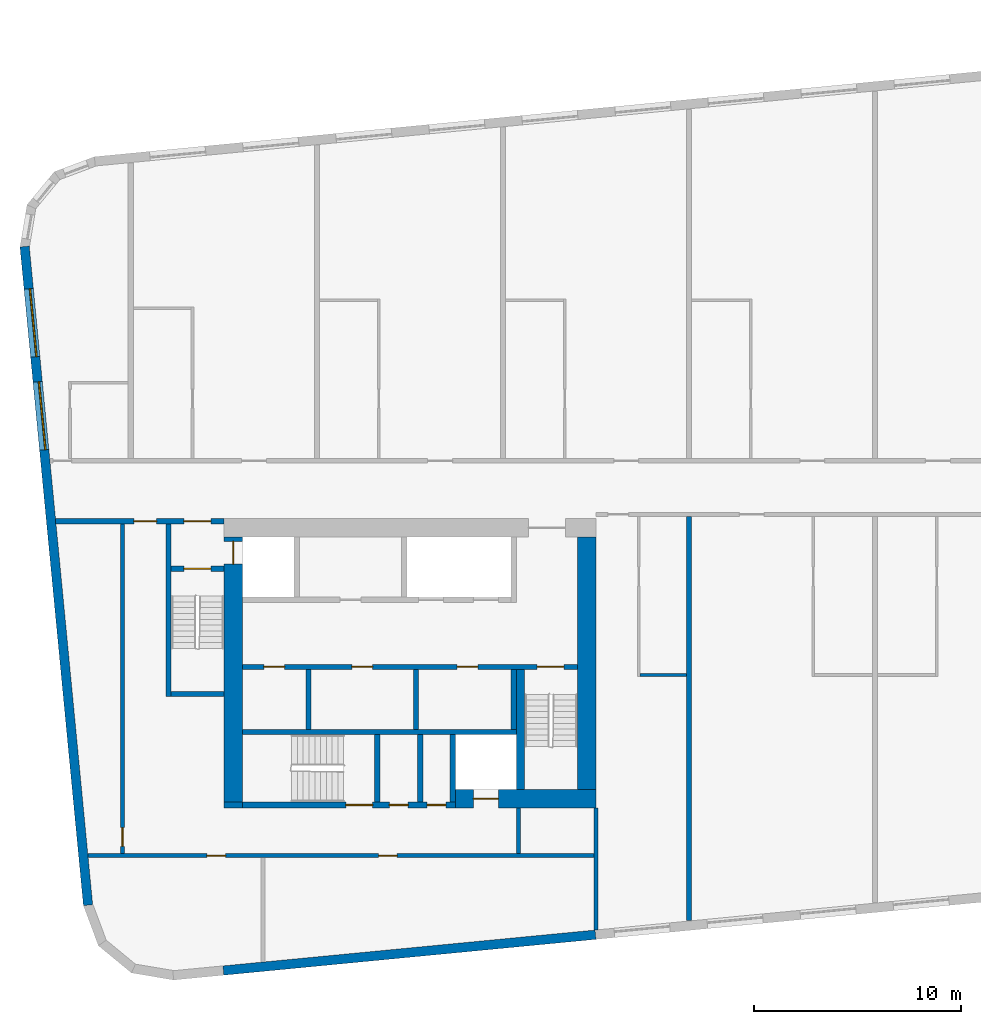
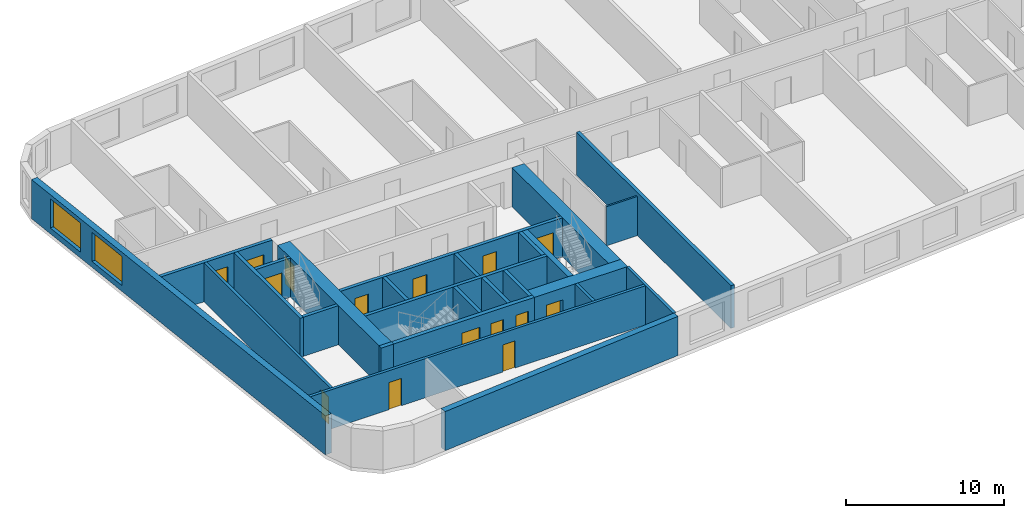
# One storey, part 2 of 11: 26 walls, 15 doors, 2 windows, 17 openings.
"""IFC4 building model written with IfcOpenShell, lengths in metres."""

from ifc_helpers import new_model, si_unit, direction, frame, frame_2d, origin, place, context, subcontext, project, spatial, rectangle, extrude, material, layer, layer_set, type_object, element, fill, save


model = new_model("IFC4")

# Units and contexts
model_context = context("Model", 3, precision=1e-05, world=origin(), true_north=direction((0.0, 1.0)))
body_context = subcontext(model_context, "Body", "Model", "MODEL_VIEW")
ifc_project = project(units=[si_unit("LENGTHUNIT", "METRE"), si_unit("AREAUNIT", "SQUARE_METRE"), si_unit("VOLUMEUNIT", "CUBIC_METRE"), si_unit("PLANEANGLEUNIT", "RADIAN"), si_unit("MASSUNIT", "GRAM", prefix="KILO")], contexts=[model_context])

# Site, building, storey
site_placement = place(None, origin())
site = spatial("IfcSite", under=ifc_project, at=site_placement, CompositionType="ELEMENT")
building_placement = place(site_placement, origin())
building = spatial("IfcBuilding", under=site, at=building_placement, Name="Kajstack Hotel Tower", CompositionType="ELEMENT")
storey_placement = place(building_placement, frame((0.0, 0.0, 275.10009765625)))
storey = spatial("IfcBuildingStorey", under=building, at=storey_placement, Name="L68", CompositionType="ELEMENT", Elevation=275.10009765625)

# Wall, opening, door
ifc_material_1 = material(Name="Concrete C60/75", Category="concrete")
ifc_layer_1 = layer(ifc_material_1, 0.89990234375)
ifc_layer_set_1 = layer_set([ifc_layer_1], Name="Core wall 900")
wall_type_1 = type_object("IfcWallType", Name="Core wall 900", PredefinedType="SHEAR", material=ifc_layer_set_1)
wall_1_placement = place(storey_placement, frame((-20.300048828125, -15.050048828125, 0.0), z_axis=(0.0, 0.0, 1.0), x_axis=(1.0, 0.0, 0.0)))
wall_1 = element("IfcWall", 1, at=wall_1_placement, inside=storey, type_object=wall_type_1, Name="Core wall W RS", PredefinedType="SHEAR", context=body_context, shape_type="SweptSolid", body=[
    extrude(rectangle(XDim=6.800048828125, YDim=0.89990234375, at=frame_2d((3.39990234375, 0.0))), origin(), (0.0, 0.0, 1.0), 3.02001953125),
])
opening_1_placement = place(wall_1_placement, frame((0.875, 0.0, 0.0)))
opening_1 = element("IfcOpeningElement", 2, at=opening_1_placement, cuts=wall_1, Name="Opening LD-SV1", PredefinedType="OPENING", context=body_context, shape_type="SweptSolid", body=[
    extrude(rectangle(XDim=1.199951171875, YDim=2.10009765625, at=frame_2d((0.60009765625, 1.050048828125))), frame((0.0, 0.4599609375, 0.0), z_axis=(0.0, -1.0, 0.0), x_axis=(1.0, 0.0, 0.0)), (0.0, 0.0, 1.0), 0.919921875),
])
ifc_material_2 = material(Name="Stainless steel", Category="steel")
door_type_1 = type_object("IfcDoorType", Name="Lift landing door 1200", OperationType="SLIDING_TO_LEFT", PredefinedType="DOOR", material=ifc_material_2)
door_1_placement = place(opening_1_placement, origin())
door_1 = element("IfcDoor", 3, at=door_1_placement, inside=storey, type_object=door_type_1, Name="Landing door SV1", OperationType="SLIDING_TO_LEFT", OverallHeight=2.10009765625, OverallWidth=1.199951171875, PredefinedType="DOOR", context=body_context, shape_type="SweptSolid", body=[
    extrude(rectangle(XDim=1.199951171875, YDim=2.10009765625, at=frame_2d((0.60009765625, 1.050048828125))), frame((0.0, 0.02490234375, 0.0), z_axis=(0.0, -1.0, 0.0), x_axis=(1.0, 0.0, 0.0)), (0.0, 0.0, 1.0), 0.050048828125),
])
fill(opening_1, door_1)

# Wall
wall_2_placement = place(storey_placement, frame((-31.5, -15.35009765625, 0.0), z_axis=(0.0, 0.0, 1.0), x_axis=(1.0, 0.0, 0.0)))
element("IfcWall", 4, at=wall_2_placement, inside=storey, type_object=wall_type_1, Name="Core wall W RSW", PredefinedType="SHEAR", context=body_context, shape_type="SweptSolid", body=[
    extrude(rectangle(XDim=0.89990234375, YDim=0.300048828125, at=frame_2d((0.449951171875, 0.0))), origin(), (0.0, 0.0, 1.0), 3.02001953125),
])

# Wall, opening, door
wall_3_placement = place(storey_placement, frame((-31.050048828125, -15.199951171875, 0.0), z_axis=(0.0, 0.0, 1.0), x_axis=(0.0, 1.0, 0.0)))
wall_3 = element("IfcWall", 5, at=wall_3_placement, inside=storey, type_object=wall_type_1, Name="Core wall W RW", PredefinedType="SHEAR", context=body_context, shape_type="SweptSolid", body=[
    extrude(rectangle(XDim=12.800048828125, YDim=0.89990234375, at=frame_2d((6.39990234375, 0.0))), origin(), (0.0, 0.0, 1.0), 3.02001953125),
])
opening_2_placement = place(wall_3_placement, frame((11.5, 0.0, 0.0)))
opening_2 = element("IfcOpeningElement", 6, at=opening_2_placement, cuts=wall_3, Name="Opening LD-FF1", PredefinedType="OPENING", context=body_context, shape_type="SweptSolid", body=[
    extrude(rectangle(XDim=1.10009765625, YDim=2.10009765625, at=frame_2d((0.550048828125, 1.050048828125))), frame((0.0, 0.4599609375, 0.0), z_axis=(0.0, -1.0, 0.0), x_axis=(1.0, 0.0, 0.0)), (0.0, 0.0, 1.0), 0.919921875),
])
door_type_2 = type_object("IfcDoorType", Name="Fire-fighting lift landing door 1100", OperationType="SLIDING_TO_LEFT", PredefinedType="DOOR", material=ifc_material_2)
door_2_placement = place(opening_2_placement, origin())
door_2 = element("IfcDoor", 7, at=door_2_placement, inside=storey, type_object=door_type_2, Name="Landing door FF1", OperationType="SLIDING_TO_RIGHT", OverallHeight=2.10009765625, OverallWidth=1.10009765625, PredefinedType="DOOR", context=body_context, shape_type="SweptSolid", body=[
    extrude(rectangle(XDim=1.10009765625, YDim=2.10009765625, at=frame_2d((0.550048828125, 1.050048828125))), frame((0.0, 0.02490234375, 0.0), z_axis=(0.0, -1.0, 0.0), x_axis=(1.0, 0.0, 0.0)), (0.0, 0.0, 1.0), 0.050048828125),
])
fill(opening_2, door_2)

# Walls
wall_4_placement = place(storey_placement, frame((-13.949951171875, -14.60009765625, 0.0), z_axis=(0.0, 0.0, 1.0), x_axis=(0.0, 1.0, 0.0)))
element("IfcWall", 8, at=wall_4_placement, inside=storey, type_object=wall_type_1, Name="Core wall W RE", PredefinedType="SHEAR", context=body_context, shape_type="SweptSolid", body=[
    extrude(rectangle(XDim=12.2001953125, YDim=0.89990234375, at=frame_2d((6.10009765625, 0.0))), origin(), (0.0, 0.0, 1.0), 3.02001953125),
])
ifc_material_3 = material(Name="Twin-frame gypsum board on steel studs, mineral wool", Category="steel")
ifc_layer_2 = layer(ifc_material_3, 0.199951171875)
ifc_layer_set_2 = layer_set([ifc_layer_2], Name="Demising wall 200")
wall_type_2 = type_object("IfcWallType", Name="Demising wall 200", PredefinedType="PARTITIONING", material=ifc_layer_set_2)
wall_5_placement = place(storey_placement, frame((-13.5, -21.39599609375, 0.0), z_axis=(0.0, 0.0, 1.0), x_axis=(0.0, 1.0, 0.0)))
element("IfcWall", 9, at=wall_5_placement, inside=storey, type_object=wall_type_2, Name="G-wall-L68-002", PredefinedType="PARTITIONING", context=body_context, shape_type="SweptSolid", body=[
    extrude(rectangle(XDim=5.89599609375, YDim=0.199951171875, at=frame_2d((2.947998046875, 0.0))), origin(), (0.0, 0.0, 1.0), 3.02001953125),
])
ifc_material_4 = material(Name="Concrete C40/50", Category="concrete")
ifc_layer_3 = layer(ifc_material_4, 0.449951171875)
ifc_layer_set_3 = layer_set([ifc_layer_3], Name="EW-CORE")
wall_type_3 = type_object("IfcWallType", Name="EW-CORE", PredefinedType="SOLIDWALL", material=ifc_layer_set_3)
wall_6_placement = place(storey_placement, frame((-31.521484375, -23.357177734375, 0.0), z_axis=(0.0, 0.0, 1.0), x_axis=(0.995396454615, 0.095843091245, 0.0)))
element("IfcWall", 10, at=wall_6_placement, inside=storey, type_object=wall_type_3, Name="E-wall-L68-04-01", PredefinedType="SOLIDWALL", context=body_context, shape_type="SweptSolid", body=[
    extrude(rectangle(XDim=18.083251953125, YDim=0.449951171875, at=frame_2d((9.04150390625, 0.0))), origin(), (0.0, 0.0, 1.0), 3.02001953125),
])

# Wall, openings, windows
ifc_material_5 = material(Name="Terracotta-faced brick masonry", Category="masonry")
ifc_layer_4 = layer(ifc_material_5, 0.449951171875)
ifc_layer_set_4 = layer_set([ifc_layer_4], Name="EW-TERRA")
wall_type_4 = type_object("IfcWallType", Name="EW-TERRA", PredefinedType="SOLIDWALL", material=ifc_layer_set_4)
wall_7_placement = place(storey_placement, frame((-41.13232421875, 11.657958984375, 0.0), z_axis=(0.0, 0.0, 1.0), x_axis=(0.095847749461, -0.995396006082, 0.0)))
wall_7 = element("IfcWall", 11, at=wall_7_placement, inside=storey, type_object=wall_type_4, Name="E-wall-L68-00-00", PredefinedType="SOLIDWALL", context=body_context, shape_type="SweptSolid", body=[
    extrude(rectangle(XDim=32.0, YDim=0.449951171875, at=frame_2d((16.0, 0.0))), origin(), (0.0, 0.0, 1.0), 3.02001953125),
])
opening_3_placement = place(wall_7_placement, frame((2.053466796875, 0.0, 0.449951171875)))
opening_3 = element("IfcOpeningElement", 12, at=opening_3_placement, cuts=wall_7, Name="Opening W2", PredefinedType="OPENING", context=body_context, shape_type="SweptSolid", body=[
    extrude(rectangle(XDim=3.300048828125, YDim=2.25, at=frame_2d((1.64990234375, 1.125))), frame((0.0, 0.23486328125, 0.0), z_axis=(0.0, -1.0, 0.0), x_axis=(1.0, 0.0, 0.0)), (0.0, 0.0, 1.0), 0.469970703125),
])
opening_4_placement = place(wall_7_placement, frame((6.57421875, 0.0, 0.449951171875)))
opening_4 = element("IfcOpeningElement", 13, at=opening_4_placement, cuts=wall_7, Name="Opening W2", PredefinedType="OPENING", context=body_context, shape_type="SweptSolid", body=[
    extrude(rectangle(XDim=3.300048828125, YDim=2.25, at=frame_2d((1.64990234375, 1.125))), frame((0.0, 0.23486328125, 0.0), z_axis=(0.0, -1.0, 0.0), x_axis=(1.0, 0.0, 0.0)), (0.0, 0.0, 1.0), 0.469970703125),
])
ifc_material_6 = material(Name="Timber-aluminium window, triple glazed", Category="wood")
window_type = type_object("IfcWindowType", Name="WG2", PartitioningType="SINGLE_PANEL", PredefinedType="WINDOW", material=ifc_material_6)
window_1_placement = place(opening_3_placement, origin())
window_1 = element("IfcWindow", 14, at=window_1_placement, inside=storey, type_object=window_type, Name="Window W2 L68-00", OverallHeight=2.25, OverallWidth=3.300048828125, PartitioningType="SINGLE_PANEL", PredefinedType="WINDOW", context=body_context, shape_type="SweptSolid", body=[
    extrude(rectangle(XDim=3.300048828125, YDim=2.25, at=frame_2d((1.64990234375, 1.125))), frame((0.0, 0.090087890625, 0.0), z_axis=(0.0, -1.0, 0.0), x_axis=(1.0, 0.0, 0.0)), (0.0, 0.0, 1.0), 0.06005859375),
])
fill(opening_3, window_1)
window_2_placement = place(opening_4_placement, origin())
window_2 = element("IfcWindow", 15, at=window_2_placement, inside=storey, type_object=window_type, Name="Window W2 L68-00", OverallHeight=2.25, OverallWidth=3.300048828125, PartitioningType="SINGLE_PANEL", PredefinedType="WINDOW", context=body_context, shape_type="SweptSolid", body=[
    extrude(rectangle(XDim=3.300048828125, YDim=2.25, at=frame_2d((1.64990234375, 1.125))), frame((0.0, 0.090087890625, 0.0), z_axis=(0.0, -1.0, 0.0), x_axis=(1.0, 0.0, 0.0)), (0.0, 0.0, 1.0), 0.06005859375),
])
fill(opening_4, window_2)

# Walls
ifc_material_7 = material(Name="Gypsum board and tiled backer on steel studs", Category="steel")
ifc_layer_5 = layer(ifc_material_7, 0.125)
ifc_layer_set_5 = layer_set([ifc_layer_5], Name="En-suite wall 125")
wall_type_5 = type_object("IfcWallType", Name="En-suite wall 125", PredefinedType="PARTITIONING", material=ifc_layer_set_5)
wall_8_placement = place(storey_placement, frame((-11.375, -9.06201171875, 0.0), z_axis=(0.0, 0.0, 1.0), x_axis=(1.0, 0.0, 0.0)))
element("IfcWall", 16, at=wall_8_placement, inside=storey, type_object=wall_type_5, Name="G-wall-L68-020", PredefinedType="PARTITIONING", context=body_context, shape_type="SweptSolid", body=[
    extrude(rectangle(XDim=2.25, YDim=0.125, at=frame_2d((1.125, 0.0))), origin(), (0.0, 0.0, 1.0), 3.02001953125),
])
ifc_layer_6 = layer(ifc_material_4, 0.25)
ifc_layer_set_6 = layer_set([ifc_layer_6], Name="RC cross wall 250 C40/50")
wall_type_6 = type_object("IfcWallType", Name="RC cross wall 250 C40/50", PredefinedType="SHEAR", material=ifc_layer_set_6)
wall_9_placement = place(storey_placement, frame((-9.0, -20.9404296875, 0.0), z_axis=(0.0, 0.0, 1.0), x_axis=(0.0, 1.0, 0.0)))
element("IfcWall", 17, at=wall_9_placement, inside=storey, type_object=wall_type_6, Name="S-wall-L68-04", PredefinedType="SHEAR", context=body_context, shape_type="SweptSolid", body=[
    extrude(rectangle(XDim=19.54052734375, YDim=0.25, at=frame_2d((9.770263671875, 0.0))), origin(), (0.0, 0.0, 1.0), 3.2998046875),
])
ifc_material_8 = material(Name="Concrete block masonry", Category="masonry")
ifc_layer_7 = layer(ifc_material_8, 0.25)
ifc_layer_set_7 = layer_set([ifc_layer_7], Name="Riser partition 250")
wall_type_7 = type_object("IfcWallType", Name="Riser partition 250", PredefinedType="PARTITIONING", material=ifc_layer_set_7)
for number, where, z_axis, x_axis, name in (
    (18, (-27.39990234375, -11.699951171875, 0.0), (0.0, 0.0, 1.0), (0.0, 1.0, 0.0), "Partition W BF0"),
    (19, (-22.199951171875, -11.699951171875, 0.0), (0.0, 0.0, 1.0), (0.0, 1.0, 0.0), "Partition W BF1"),
):
    element("IfcWall", number, at=place(storey_placement, frame(where, z_axis=z_axis, x_axis=x_axis)), inside=storey, type_object=wall_type_7, Name=name, PredefinedType="PARTITIONING", context=body_context, shape_type="SweptSolid", body=[
        extrude(rectangle(XDim=2.89990234375, YDim=0.25, at=frame_2d((1.449951171875, 0.0))), origin(), (0.0, 0.0, 1.0), 3.02001953125),
    ])
wall_10_placement = place(storey_placement, frame((-22.0, -15.199951171875, 0.0), z_axis=(0.0, 0.0, 1.0), x_axis=(0.0, 1.0, 0.0)))
element("IfcWall", 20, at=wall_10_placement, inside=storey, type_object=wall_type_7, Name="Partition W SZ0", PredefinedType="PARTITIONING", context=body_context, shape_type="SweptSolid", body=[
    extrude(rectangle(XDim=3.25, YDim=0.25, at=frame_2d((1.625, 0.0))), origin(), (0.0, 0.0, 1.0), 3.02001953125),
])

# Wall, openings, doors
ifc_material_9 = material(Name="Gypsum board on steel studs, mineral wool", Category="steel")
ifc_layer_8 = layer(ifc_material_9, 0.199951171875)
ifc_layer_set_8 = layer_set([ifc_layer_8], Name="Service partition 200")
wall_type_8 = type_object("IfcWallType", Name="Service partition 200", PredefinedType="PARTITIONING", material=ifc_layer_set_8)
wall_11_placement = place(storey_placement, frame((-39.627197265625, -1.625, 0.0), z_axis=(0.0, 0.0, 1.0), x_axis=(1.0, 0.0, 0.0)))
wall_11 = element("IfcWall", 21, at=wall_11_placement, inside=storey, type_object=wall_type_8, Name="Partition W SN", PredefinedType="PARTITIONING", context=body_context, shape_type="SweptSolid", body=[
    extrude(rectangle(XDim=8.127197265625, YDim=0.25, at=frame_2d((4.0634765625, 0.0))), origin(), (0.0, 0.0, 1.0), 3.02001953125),
])
opening_5_placement = place(wall_11_placement, frame((6.202392578125, 0.0, 0.0)))
opening_5 = element("IfcOpeningElement", 22, at=opening_5_placement, cuts=wall_11, Name="Opening 68W06", PredefinedType="OPENING", context=body_context, shape_type="SweptSolid", body=[
    extrude(rectangle(XDim=1.300048828125, YDim=2.10009765625, at=frame_2d((0.64990234375, 1.050048828125))), frame((0.0, 0.135009765625, 0.0), z_axis=(0.0, -1.0, 0.0), x_axis=(1.0, 0.0, 0.0)), (0.0, 0.0, 1.0), 0.27001953125),
])
opening_6_placement = place(wall_11_placement, frame((3.77734375, 0.0, 0.0)))
opening_6 = element("IfcOpeningElement", 23, at=opening_6_placement, cuts=wall_11, Name="Opening 68W08", PredefinedType="OPENING", context=body_context, shape_type="SweptSolid", body=[
    extrude(rectangle(XDim=1.10009765625, YDim=2.10009765625, at=frame_2d((0.550048828125, 1.050048828125))), frame((0.0, 0.135009765625, 0.0), z_axis=(0.0, -1.0, 0.0), x_axis=(1.0, 0.0, 0.0)), (0.0, 0.0, 1.0), 0.27001953125),
])
ifc_material_10 = material(Name="Steel leaf, fire-rated", Category="steel")
door_type_3 = type_object("IfcDoorType", Name="Fire lobby door 1300", OperationType="SINGLE_SWING_LEFT", PredefinedType="DOOR", material=ifc_material_10)
door_3_placement = place(opening_5_placement, origin())
door_3 = element("IfcDoor", 24, at=door_3_placement, inside=storey, type_object=door_type_3, Name="Door 68W06", OperationType="SINGLE_SWING_RIGHT", OverallHeight=2.10009765625, OverallWidth=1.300048828125, PredefinedType="DOOR", context=body_context, shape_type="SweptSolid", body=[
    extrude(rectangle(XDim=1.300048828125, YDim=2.10009765625, at=frame_2d((0.64990234375, 1.050048828125))), frame((0.0, 0.02490234375, 0.0), z_axis=(0.0, -1.0, 0.0), x_axis=(1.0, 0.0, 0.0)), (0.0, 0.0, 1.0), 0.050048828125),
])
fill(opening_5, door_3)
ifc_material_11 = material(Name="Timber leaf, fire-rated", Category="wood")
door_type_4 = type_object("IfcDoorType", Name="Service corridor door 1100", OperationType="SINGLE_SWING_LEFT", PredefinedType="DOOR", material=ifc_material_11)
door_4_placement = place(opening_6_placement, origin())
door_4 = element("IfcDoor", 25, at=door_4_placement, inside=storey, type_object=door_type_4, Name="Door 68W08", OperationType="SINGLE_SWING_RIGHT", OverallHeight=2.10009765625, OverallWidth=1.10009765625, PredefinedType="DOOR", context=body_context, shape_type="SweptSolid", body=[
    extrude(rectangle(XDim=1.10009765625, YDim=2.10009765625, at=frame_2d((0.550048828125, 1.050048828125))), frame((0.0, 0.02490234375, 0.0), z_axis=(0.0, -1.0, 0.0), x_axis=(1.0, 0.0, 0.0)), (0.0, 0.0, 1.0), 0.050048828125),
])
fill(opening_6, door_4)

# Wall
wall_12_placement = place(storey_placement, frame((-17.25, -17.699951171875, 0.0), z_axis=(0.0, 0.0, 1.0), x_axis=(0.0, 1.0, 0.0)))
element("IfcWall", 26, at=wall_12_placement, inside=storey, type_object=wall_type_8, Name="Partition W SCE", PredefinedType="PARTITIONING", context=body_context, shape_type="SweptSolid", body=[
    extrude(rectangle(XDim=2.199951171875, YDim=0.199951171875, at=frame_2d((1.10009765625, 0.0))), origin(), (0.0, 0.0, 1.0), 3.02001953125),
])

# Wall, opening, door
wall_13_placement = place(storey_placement, frame((-36.39990234375, -17.699951171875, 0.0), z_axis=(0.0, 0.0, 1.0), x_axis=(0.0, 1.0, 0.0)))
wall_13 = element("IfcWall", 27, at=wall_13_placement, inside=storey, type_object=wall_type_8, Name="Partition W WRE", PredefinedType="PARTITIONING", context=body_context, shape_type="SweptSolid", body=[
    extrude(rectangle(XDim=15.949951171875, YDim=0.199951171875, at=frame_2d((7.97509765625, 0.0))), origin(), (0.0, 0.0, 1.0), 3.02001953125),
])
opening_7_placement = place(wall_13_placement, frame((0.35009765625, 0.0, 0.0)))
opening_7 = element("IfcOpeningElement", 28, at=opening_7_placement, cuts=wall_13, Name="Opening 68W19", PredefinedType="OPENING", context=body_context, shape_type="SweptSolid", body=[
    extrude(rectangle(XDim=0.89990234375, YDim=2.10009765625, at=frame_2d((0.449951171875, 1.050048828125))), frame((0.0, 0.10986328125, 0.0), z_axis=(0.0, -1.0, 0.0), x_axis=(1.0, 0.0, 0.0)), (0.0, 0.0, 1.0), 0.219970703125),
])
door_type_5 = type_object("IfcDoorType", Name="Service door 900", OperationType="SINGLE_SWING_LEFT", PredefinedType="DOOR", material=ifc_material_11)
door_5_placement = place(opening_7_placement, origin())
door_5 = element("IfcDoor", 29, at=door_5_placement, inside=storey, type_object=door_type_5, Name="Door 68W19", OperationType="SINGLE_SWING_LEFT", OverallHeight=2.10009765625, OverallWidth=0.89990234375, PredefinedType="DOOR", context=body_context, shape_type="SweptSolid", body=[
    extrude(rectangle(XDim=0.89990234375, YDim=2.10009765625, at=frame_2d((0.449951171875, 1.050048828125))), frame((0.0, 0.02490234375, 0.0), z_axis=(0.0, -1.0, 0.0), x_axis=(1.0, 0.0, 0.0)), (0.0, 0.0, 1.0), 0.050048828125),
])
fill(opening_7, door_5)

# Wall, openings, doors
wall_14_placement = place(storey_placement, frame((-38.06982421875, -17.800048828125, 0.0), z_axis=(0.0, 0.0, 1.0), x_axis=(1.0, 0.0, 0.0)))
wall_14 = element("IfcWall", 30, at=wall_14_placement, inside=storey, type_object=wall_type_8, Name="Partition W SLN", PredefinedType="PARTITIONING", context=body_context, shape_type="SweptSolid", body=[
    extrude(rectangle(XDim=24.4697265625, YDim=0.199951171875, at=frame_2d((12.23486328125, 0.0))), origin(), (0.0, 0.0, 1.0), 3.02001953125),
])
opening_8_placement = place(wall_14_placement, frame((5.75732421875, 0.0, 0.0)))
opening_8 = element("IfcOpeningElement", 31, at=opening_8_placement, cuts=wall_14, Name="Opening 68W17", PredefinedType="OPENING", context=body_context, shape_type="SweptSolid", body=[
    extrude(rectangle(XDim=0.89990234375, YDim=2.10009765625, at=frame_2d((0.449951171875, 1.050048828125))), frame((0.0, 0.10986328125, 0.0), z_axis=(0.0, -1.0, 0.0), x_axis=(1.0, 0.0, 0.0)), (0.0, 0.0, 1.0), 0.219970703125),
])
opening_9_placement = place(wall_14_placement, frame((14.057373046875, 0.0, 0.0)))
opening_9 = element("IfcOpeningElement", 32, at=opening_9_placement, cuts=wall_14, Name="Opening 68W18", PredefinedType="OPENING", context=body_context, shape_type="SweptSolid", body=[
    extrude(rectangle(XDim=0.89990234375, YDim=2.10009765625, at=frame_2d((0.449951171875, 1.050048828125))), frame((0.0, 0.10986328125, 0.0), z_axis=(0.0, -1.0, 0.0), x_axis=(1.0, 0.0, 0.0)), (0.0, 0.0, 1.0), 0.219970703125),
])
door_6_placement = place(opening_8_placement, origin())
door_6 = element("IfcDoor", 33, at=door_6_placement, inside=storey, type_object=door_type_5, Name="Door 68W17", OperationType="SINGLE_SWING_RIGHT", OverallHeight=2.10009765625, OverallWidth=0.89990234375, PredefinedType="DOOR", context=body_context, shape_type="SweptSolid", body=[
    extrude(rectangle(XDim=0.89990234375, YDim=2.10009765625, at=frame_2d((0.449951171875, 1.050048828125))), frame((0.0, 0.02490234375, 0.0), z_axis=(0.0, -1.0, 0.0), x_axis=(1.0, 0.0, 0.0)), (0.0, 0.0, 1.0), 0.050048828125),
])
fill(opening_8, door_6)
door_7_placement = place(opening_9_placement, origin())
door_7 = element("IfcDoor", 34, at=door_7_placement, inside=storey, type_object=door_type_5, Name="Door 68W18", OperationType="SINGLE_SWING_RIGHT", OverallHeight=2.10009765625, OverallWidth=0.89990234375, PredefinedType="DOOR", context=body_context, shape_type="SweptSolid", body=[
    extrude(rectangle(XDim=0.89990234375, YDim=2.10009765625, at=frame_2d((0.449951171875, 1.050048828125))), frame((0.0, 0.02490234375, 0.0), z_axis=(0.0, -1.0, 0.0), x_axis=(1.0, 0.0, 0.0)), (0.0, 0.0, 1.0), 0.050048828125),
])
fill(opening_9, door_7)

ifc_material_12 = material(Name="Concrete C50/60", Category="concrete")
ifc_layer_9 = layer(ifc_material_12, 0.25)
ifc_layer_set_9 = layer_set([ifc_layer_9], Name="Shaft wall 250")
wall_type_9 = type_object("IfcWallType", Name="Shaft wall 250", PredefinedType="SHEAR", material=ifc_layer_set_9)
wall_15_placement = place(storey_placement, frame((-30.60009765625, -15.35009765625, 0.0), z_axis=(0.0, 0.0, 1.0), x_axis=(1.0, 0.0, 0.0)))
wall_15 = element("IfcWall", 35, at=wall_15_placement, inside=storey, type_object=wall_type_9, Name="Core wall W RSS", PredefinedType="SHEAR", context=body_context, shape_type="SweptSolid", body=[
    extrude(rectangle(XDim=10.300048828125, YDim=0.300048828125, at=frame_2d((5.14990234375, 0.0))), origin(), (0.0, 0.0, 1.0), 3.02001953125),
])
opening_10_placement = place(wall_15_placement, frame((5.0, 0.0, 0.0)))
opening_10 = element("IfcOpeningElement", 36, at=opening_10_placement, cuts=wall_15, Name="Opening 68W10", PredefinedType="OPENING", context=body_context, shape_type="SweptSolid", body=[
    extrude(rectangle(XDim=1.300048828125, YDim=2.10009765625, at=frame_2d((0.64990234375, 1.050048828125))), frame((0.0, 0.159912109375, 0.0), z_axis=(0.0, -1.0, 0.0), x_axis=(1.0, 0.0, 0.0)), (0.0, 0.0, 1.0), 0.320068359375),
])
opening_11_placement = place(wall_15_placement, frame((7.112548828125, 0.0, 0.0)))
opening_11 = element("IfcOpeningElement", 37, at=opening_11_placement, cuts=wall_15, Name="Opening 68W11", PredefinedType="OPENING", context=body_context, shape_type="SweptSolid", body=[
    extrude(rectangle(XDim=0.89990234375, YDim=2.10009765625, at=frame_2d((0.449951171875, 1.050048828125))), frame((0.0, 0.159912109375, 0.0), z_axis=(0.0, -1.0, 0.0), x_axis=(1.0, 0.0, 0.0)), (0.0, 0.0, 1.0), 0.320068359375),
])
opening_12_placement = place(wall_15_placement, frame((8.9375, 0.0, 0.0)))
opening_12 = element("IfcOpeningElement", 38, at=opening_12_placement, cuts=wall_15, Name="Opening 68W12", PredefinedType="OPENING", context=body_context, shape_type="SweptSolid", body=[
    extrude(rectangle(XDim=0.89990234375, YDim=2.10009765625, at=frame_2d((0.449951171875, 1.050048828125))), frame((0.0, 0.159912109375, 0.0), z_axis=(0.0, -1.0, 0.0), x_axis=(1.0, 0.0, 0.0)), (0.0, 0.0, 1.0), 0.320068359375),
])
door_8_placement = place(opening_11_placement, origin())
door_8 = element("IfcDoor", 39, at=door_8_placement, inside=storey, type_object=door_type_5, Name="Door 68W11", OperationType="SINGLE_SWING_LEFT", OverallHeight=2.10009765625, OverallWidth=0.89990234375, PredefinedType="DOOR", context=body_context, shape_type="SweptSolid", body=[
    extrude(rectangle(XDim=0.89990234375, YDim=2.10009765625, at=frame_2d((0.449951171875, 1.050048828125))), frame((0.0, 0.02490234375, 0.0), z_axis=(0.0, -1.0, 0.0), x_axis=(1.0, 0.0, 0.0)), (0.0, 0.0, 1.0), 0.050048828125),
])
fill(opening_11, door_8)
door_9_placement = place(opening_12_placement, origin())
door_9 = element("IfcDoor", 40, at=door_9_placement, inside=storey, type_object=door_type_5, Name="Door 68W12", OperationType="SINGLE_SWING_LEFT", OverallHeight=2.10009765625, OverallWidth=0.89990234375, PredefinedType="DOOR", context=body_context, shape_type="SweptSolid", body=[
    extrude(rectangle(XDim=0.89990234375, YDim=2.10009765625, at=frame_2d((0.449951171875, 1.050048828125))), frame((0.0, 0.02490234375, 0.0), z_axis=(0.0, -1.0, 0.0), x_axis=(1.0, 0.0, 0.0)), (0.0, 0.0, 1.0), 0.050048828125),
])
fill(opening_12, door_9)
door_type_6 = type_object("IfcDoorType", Name="Stair door 1300", OperationType="SINGLE_SWING_LEFT", PredefinedType="DOOR", material=ifc_material_10)
door_10_placement = place(opening_10_placement, origin())
door_10 = element("IfcDoor", 41, at=door_10_placement, inside=storey, type_object=door_type_6, Name="Door 68W10", OperationType="SINGLE_SWING_RIGHT", OverallHeight=2.10009765625, OverallWidth=1.300048828125, PredefinedType="DOOR", context=body_context, shape_type="SweptSolid", body=[
    extrude(rectangle(XDim=1.300048828125, YDim=2.10009765625, at=frame_2d((0.64990234375, 1.050048828125))), frame((0.0, 0.02490234375, 0.0), z_axis=(0.0, -1.0, 0.0), x_axis=(1.0, 0.0, 0.0)), (0.0, 0.0, 1.0), 0.050048828125),
])
fill(opening_10, door_10)

wall_16_placement = place(storey_placement, frame((-30.60009765625, -8.675048828125, 0.0), z_axis=(0.0, 0.0, 1.0), x_axis=(1.0, 0.0, 0.0)))
wall_16 = element("IfcWall", 42, at=wall_16_placement, inside=storey, type_object=wall_type_9, Name="Core wall W FB", PredefinedType="SHEAR", context=body_context, shape_type="SweptSolid", body=[
    extrude(rectangle(XDim=16.2001953125, YDim=0.25, at=frame_2d((8.10009765625, 0.0))), origin(), (0.0, 0.0, 1.0), 3.02001953125),
])
opening_13_placement = place(wall_16_placement, frame((14.25, 0.0, 0.0)))
opening_13 = element("IfcOpeningElement", 43, at=opening_13_placement, cuts=wall_16, Name="Opening 68W09", PredefinedType="OPENING", context=body_context, shape_type="SweptSolid", body=[
    extrude(rectangle(XDim=1.300048828125, YDim=2.10009765625, at=frame_2d((0.64990234375, 1.050048828125))), frame((0.0, 0.135009765625, 0.0), z_axis=(0.0, -1.0, 0.0), x_axis=(1.0, 0.0, 0.0)), (0.0, 0.0, 1.0), 0.27001953125),
])
opening_14_placement = place(wall_16_placement, frame((1.03759765625, 0.0, 0.0)))
opening_14 = element("IfcOpeningElement", 44, at=opening_14_placement, cuts=wall_16, Name="Opening 68W13", PredefinedType="OPENING", context=body_context, shape_type="SweptSolid", body=[
    extrude(rectangle(XDim=1.0, YDim=2.10009765625, at=frame_2d((0.5, 1.050048828125))), frame((0.0, 0.135009765625, 0.0), z_axis=(0.0, -1.0, 0.0), x_axis=(1.0, 0.0, 0.0)), (0.0, 0.0, 1.0), 0.27001953125),
])
opening_15_placement = place(wall_16_placement, frame((5.300048828125, 0.0, 0.0)))
opening_15 = element("IfcOpeningElement", 45, at=opening_15_placement, cuts=wall_16, Name="Opening 68W14", PredefinedType="OPENING", context=body_context, shape_type="SweptSolid", body=[
    extrude(rectangle(XDim=1.0, YDim=2.10009765625, at=frame_2d((0.5, 1.050048828125))), frame((0.0, 0.135009765625, 0.0), z_axis=(0.0, -1.0, 0.0), x_axis=(1.0, 0.0, 0.0)), (0.0, 0.0, 1.0), 0.27001953125),
])
opening_16_placement = place(wall_16_placement, frame((10.387451171875, 0.0, 0.0)))
opening_16 = element("IfcOpeningElement", 46, at=opening_16_placement, cuts=wall_16, Name="Opening 68W15", PredefinedType="OPENING", context=body_context, shape_type="SweptSolid", body=[
    extrude(rectangle(XDim=1.0, YDim=2.10009765625, at=frame_2d((0.5, 1.050048828125))), frame((0.0, 0.135009765625, 0.0), z_axis=(0.0, -1.0, 0.0), x_axis=(1.0, 0.0, 0.0)), (0.0, 0.0, 1.0), 0.27001953125),
])
door_type_7 = type_object("IfcDoorType", Name="Service room door 1000", OperationType="SINGLE_SWING_LEFT", PredefinedType="DOOR", material=ifc_material_11)
door_11_placement = place(opening_14_placement, origin())
door_11 = element("IfcDoor", 47, at=door_11_placement, inside=storey, type_object=door_type_7, Name="Door 68W13", OperationType="SINGLE_SWING_RIGHT", OverallHeight=2.10009765625, OverallWidth=1.0, PredefinedType="DOOR", context=body_context, shape_type="SweptSolid", body=[
    extrude(rectangle(XDim=1.0, YDim=2.10009765625, at=frame_2d((0.5, 1.050048828125))), frame((0.0, 0.02490234375, 0.0), z_axis=(0.0, -1.0, 0.0), x_axis=(1.0, 0.0, 0.0)), (0.0, 0.0, 1.0), 0.050048828125),
])
fill(opening_14, door_11)
door_12_placement = place(opening_15_placement, origin())
door_12 = element("IfcDoor", 48, at=door_12_placement, inside=storey, type_object=door_type_7, Name="Door 68W14", OperationType="SINGLE_SWING_RIGHT", OverallHeight=2.10009765625, OverallWidth=1.0, PredefinedType="DOOR", context=body_context, shape_type="SweptSolid", body=[
    extrude(rectangle(XDim=1.0, YDim=2.10009765625, at=frame_2d((0.5, 1.050048828125))), frame((0.0, 0.02490234375, 0.0), z_axis=(0.0, -1.0, 0.0), x_axis=(1.0, 0.0, 0.0)), (0.0, 0.0, 1.0), 0.050048828125),
])
fill(opening_15, door_12)
door_13_placement = place(opening_16_placement, origin())
door_13 = element("IfcDoor", 49, at=door_13_placement, inside=storey, type_object=door_type_7, Name="Door 68W15", OperationType="SINGLE_SWING_RIGHT", OverallHeight=2.10009765625, OverallWidth=1.0, PredefinedType="DOOR", context=body_context, shape_type="SweptSolid", body=[
    extrude(rectangle(XDim=1.0, YDim=2.10009765625, at=frame_2d((0.5, 1.050048828125))), frame((0.0, 0.02490234375, 0.0), z_axis=(0.0, -1.0, 0.0), x_axis=(1.0, 0.0, 0.0)), (0.0, 0.0, 1.0), 0.050048828125),
])
fill(opening_16, door_13)
door_14_placement = place(opening_13_placement, origin())
door_14 = element("IfcDoor", 50, at=door_14_placement, inside=storey, type_object=door_type_6, Name="Door 68W09", OperationType="SINGLE_SWING_RIGHT", OverallHeight=2.10009765625, OverallWidth=1.300048828125, PredefinedType="DOOR", context=body_context, shape_type="SweptSolid", body=[
    extrude(rectangle(XDim=1.300048828125, YDim=2.10009765625, at=frame_2d((0.64990234375, 1.050048828125))), frame((0.0, 0.02490234375, 0.0), z_axis=(0.0, -1.0, 0.0), x_axis=(1.0, 0.0, 0.0)), (0.0, 0.0, 1.0), 0.050048828125),
])
fill(opening_13, door_14)

# Walls
wall_17_placement = place(storey_placement, frame((-30.60009765625, -11.824951171875, 0.0), z_axis=(0.0, 0.0, 1.0), x_axis=(1.0, 0.0, 0.0)))
element("IfcWall", 51, at=wall_17_placement, inside=storey, type_object=wall_type_9, Name="Core wall W RB", PredefinedType="SHEAR", context=body_context, shape_type="SweptSolid", body=[
    extrude(rectangle(XDim=13.25, YDim=0.25, at=frame_2d((6.625, 0.0))), origin(), (0.0, 0.0, 1.0), 3.02001953125),
])
wall_18_placement = place(storey_placement, frame((-17.47509765625, -11.699951171875, 0.0), z_axis=(0.0, 0.0, 1.0), x_axis=(0.0, 1.0, 0.0)))
element("IfcWall", 52, at=wall_18_placement, inside=storey, type_object=wall_type_9, Name="Core wall W BE", PredefinedType="SHEAR", context=body_context, shape_type="SweptSolid", body=[
    extrude(rectangle(XDim=2.89990234375, YDim=0.25, at=frame_2d((1.449951171875, 0.0))), origin(), (0.0, 0.0, 1.0), 3.02001953125),
])
wall_19_placement = place(storey_placement, frame((-20.425048828125, -15.199951171875, 0.0), z_axis=(0.0, 0.0, 1.0), x_axis=(0.0, 1.0, 0.0)))
element("IfcWall", 53, at=wall_19_placement, inside=storey, type_object=wall_type_9, Name="Core wall W SVW", PredefinedType="SHEAR", context=body_context, shape_type="SweptSolid", body=[
    extrude(rectangle(XDim=3.25, YDim=0.25, at=frame_2d((1.625, 0.0))), origin(), (0.0, 0.0, 1.0), 3.02001953125),
])

# Wall, opening, door
ifc_layer_10 = layer(ifc_material_4, 0.25)
ifc_layer_set_10 = layer_set([ifc_layer_10], Name="Stair enclosure wall 250")
wall_type_10 = type_object("IfcWallType", Name="Stair enclosure wall 250", PredefinedType="SHEAR", material=ifc_layer_set_10)
wall_20_placement = place(storey_placement, frame((-34.050048828125, -3.925048828125, 0.0), z_axis=(0.0, 0.0, 1.0), x_axis=(1.0, 0.0, 0.0)))
wall_20 = element("IfcWall", 54, at=wall_20_placement, inside=storey, type_object=wall_type_10, Name="Core wall W W1N", PredefinedType="SHEAR", context=body_context, shape_type="SweptSolid", body=[
    extrude(rectangle(XDim=2.550048828125, YDim=0.25, at=frame_2d((1.27490234375, 0.0))), origin(), (0.0, 0.0, 1.0), 3.02001953125),
])
opening_17_placement = place(wall_20_placement, frame((0.625, 0.0, 0.0)))
opening_17 = element("IfcOpeningElement", 55, at=opening_17_placement, cuts=wall_20, Name="Opening 68W07", PredefinedType="OPENING", context=body_context, shape_type="SweptSolid", body=[
    extrude(rectangle(XDim=1.300048828125, YDim=2.10009765625, at=frame_2d((0.64990234375, 1.050048828125))), frame((0.0, 0.135009765625, 0.0), z_axis=(0.0, -1.0, 0.0), x_axis=(1.0, 0.0, 0.0)), (0.0, 0.0, 1.0), 0.27001953125),
])
door_15_placement = place(opening_17_placement, origin())
door_15 = element("IfcDoor", 56, at=door_15_placement, inside=storey, type_object=door_type_6, Name="Door 68W07", OperationType="SINGLE_SWING_RIGHT", OverallHeight=2.10009765625, OverallWidth=1.300048828125, PredefinedType="DOOR", context=body_context, shape_type="SweptSolid", body=[
    extrude(rectangle(XDim=1.300048828125, YDim=2.10009765625, at=frame_2d((0.64990234375, 1.050048828125))), frame((0.0, 0.02490234375, 0.0), z_axis=(0.0, -1.0, 0.0), x_axis=(1.0, 0.0, 0.0)), (0.0, 0.0, 1.0), 0.050048828125),
])
fill(opening_17, door_15)

# Walls
wall_21_placement = place(storey_placement, frame((-34.175048828125, -10.10009765625, 0.0), z_axis=(0.0, 0.0, 1.0), x_axis=(0.0, 1.0, 0.0)))
element("IfcWall", 57, at=wall_21_placement, inside=storey, type_object=wall_type_10, Name="Core wall W W1W", PredefinedType="SHEAR", context=body_context, shape_type="SweptSolid", body=[
    extrude(rectangle(XDim=8.35009765625, YDim=0.25, at=frame_2d((4.175048828125, 0.0))), origin(), (0.0, 0.0, 1.0), 3.02001953125),
])
wall_22_placement = place(storey_placement, frame((-34.050048828125, -9.97509765625, 0.0), z_axis=(0.0, 0.0, 1.0), x_axis=(1.0, 0.0, 0.0)))
element("IfcWall", 58, at=wall_22_placement, inside=storey, type_object=wall_type_10, Name="Core wall W W1S", PredefinedType="SHEAR", context=body_context, shape_type="SweptSolid", body=[
    extrude(rectangle(XDim=2.550048828125, YDim=0.25, at=frame_2d((1.27490234375, 0.0))), origin(), (0.0, 0.0, 1.0), 3.02001953125),
])
ifc_layer_11 = layer(ifc_material_12, 0.35009765625)
ifc_layer_set_11 = layer_set([ifc_layer_11], Name="Stair enclosure wall 350")
wall_type_11 = type_object("IfcWallType", Name="Stair enclosure wall 350", PredefinedType="SHEAR", material=ifc_layer_set_11)
wall_23_placement = place(storey_placement, frame((-24.074951171875, -15.199951171875, 0.0), z_axis=(0.0, 0.0, 1.0), x_axis=(0.0, 1.0, 0.0)))
element("IfcWall", 59, at=wall_23_placement, inside=storey, type_object=wall_type_11, Name="Core wall W W3E", PredefinedType="SHEAR", context=body_context, shape_type="SweptSolid", body=[
    extrude(rectangle(XDim=3.25, YDim=0.25, at=frame_2d((1.625, 0.0))), origin(), (0.0, 0.0, 1.0), 3.02001953125),
])
ifc_layer_12 = layer(ifc_material_12, 0.39990234375)
ifc_layer_set_12 = layer_set([ifc_layer_12], Name="Stair wall 400")
wall_type_12 = type_object("IfcWallType", Name="Stair wall 400", PredefinedType="SHEAR", material=ifc_layer_set_12)
wall_24_placement = place(storey_placement, frame((-17.14990234375, -14.60009765625, 0.0), z_axis=(0.0, 0.0, 1.0), x_axis=(0.0, 1.0, 0.0)))
element("IfcWall", 60, at=wall_24_placement, inside=storey, type_object=wall_type_12, Name="Core wall W WW2", PredefinedType="SHEAR", context=body_context, shape_type="SweptSolid", body=[
    extrude(rectangle(XDim=5.800048828125, YDim=0.39990234375, at=frame_2d((2.89990234375, 0.0))), origin(), (0.0, 0.0, 1.0), 3.02001953125),
])

save(model, "model.ifc")
